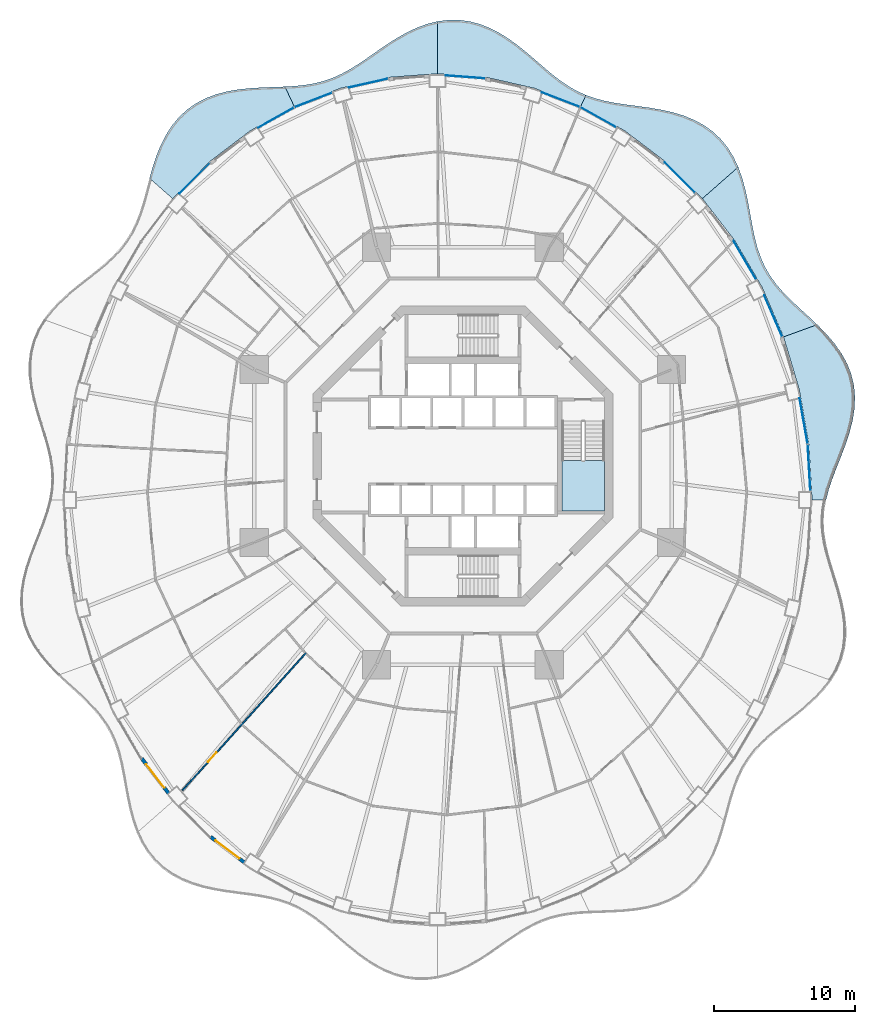
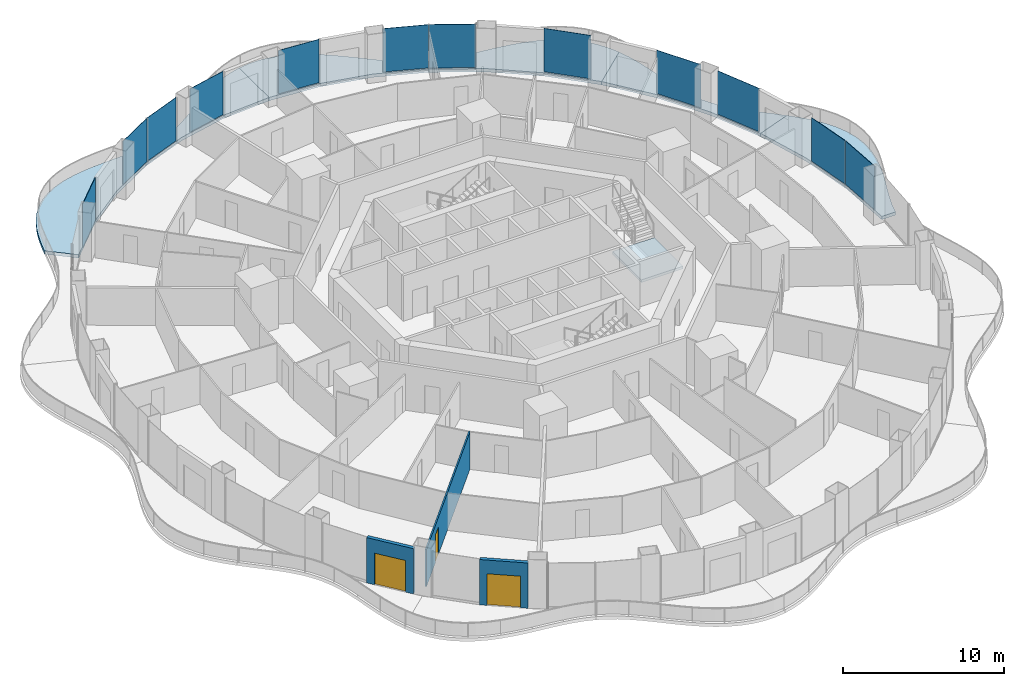
# One storey, part 12 of 21: 12 plates, 7 slabs, 3 doors, 3 walls, 3 openings, 13 elements without a shape of their own.
"""IFC4 building model written with IfcOpenShell, lengths in metres."""

from ifc_helpers import new_model, si_unit, direction, frame, frame_2d, origin, origin_2d, place, context, subcontext, project, spatial, polyline, rectangle, outline, extrude, material, layer, layer_set, type_object, element, fill, aggregate, save


model = new_model("IFC4")

# Units and contexts
model_context = context("Model", 3, precision=1e-05, world=origin(), true_north=direction((0.0, 1.0)))
body_context = subcontext(model_context, "Body", "Model", "MODEL_VIEW")
ifc_project = project(units=[si_unit("LENGTHUNIT", "METRE"), si_unit("AREAUNIT", "SQUARE_METRE"), si_unit("VOLUMEUNIT", "CUBIC_METRE"), si_unit("PLANEANGLEUNIT", "RADIAN"), si_unit("MASSUNIT", "GRAM", prefix="KILO")], contexts=[model_context])

# Site, building, storey
site_placement = place(None, origin())
site = spatial("IfcSite", under=ifc_project, at=site_placement, CompositionType="ELEMENT")
building_placement = place(site_placement, origin())
building = spatial("IfcBuilding", under=site, at=building_placement, Name="Nagisa Residences", CompositionType="ELEMENT")
storey_placement = place(building_placement, frame((0.0, 0.0, 138.10009765625)))
storey = spatial("IfcBuildingStorey", under=building, at=storey_placement, Name="L34", CompositionType="ELEMENT", Elevation=138.10009765625)

# Slabs
ifc_material_1 = material(Name="Concrete C40/50", Category="concrete")
ifc_layer_1 = layer(ifc_material_1, 0.25)
ifc_layer_set_1 = layer_set([ifc_layer_1], Name="BALCONY SLAB 250")
slab_type_1 = type_object("IfcSlabType", Name="BALCONY SLAB 250", PredefinedType="FLOOR", material=ifc_layer_set_1)
slab_1_placement = place(storey_placement, frame((0.0, 0.0, -0.25)))
element("IfcSlab", 1, at=slab_1_placement, inside=storey, type_object=slab_type_1, Name="slab:L34:bal00", PredefinedType="FLOOR", context=body_context, shape_type="SweptSolid", body=[
    extrude(outline(polyline([(25.7255859375, -3.11767578125), (25.925537109375, -2.355224609375), (26.18603515625, -1.580810546875), (26.4873046875, -0.791015625), (26.80615234375, 0.015380859375), (27.1162109375, 0.837646484375), (27.39111328125, 1.672607421875), (27.606201171875, 2.515380859375), (27.739501953125, 3.359130859375), (27.7734375, 4.19580078125), (27.697021484375, 5.01708984375), (27.5048828125, 5.815185546875), (27.19921875, 6.583740234375), (26.788818359375, 7.31787109375), (26.2880859375, 8.01513671875), (25.716552734375, 8.67626953125), (25.09765625, 9.3046875), (22.715087890625, 8.4375), (23.830810546875, 4.697265625), (24.508056640625, 0.823486328125), (24.735107421875, -3.11767578125), (25.7255859375, -3.11767578125)])), origin(), (0.0, 0.0, 1.0), 0.25),
])
slab_2_placement = place(storey_placement, frame((0.0, 0.0, -0.25)))
element("IfcSlab", 2, at=slab_2_placement, inside=storey, type_object=slab_type_1, Name="slab:L34:bal01", PredefinedType="FLOOR", context=body_context, shape_type="SweptSolid", body=[
    extrude(outline(polyline([(25.09765625, 9.3046875), (24.475830078125, 9.888671875), (23.855224609375, 10.455810546875), (23.257568359375, 11.01611328125), (22.70068359375, 11.580078125), (22.19921875, 12.158447265625), (21.762451171875, 12.76123046875), (21.394287109375, 13.396484375), (21.09326171875, 14.0703125), (20.85205078125, 14.78564453125), (20.65869140625, 15.541748046875), (20.49755859375, 16.33447265625), (20.349853515625, 17.155517578125), (20.19580078125, 17.993896484375), (20.01513671875, 18.835693359375), (19.78955078125, 19.665283203125), (19.503173828125, 20.465576171875), (16.963134765625, 18.2333984375), (19.251708984375, 15.263916015625), (21.179931640625, 11.979736328125), (22.715087890625, 8.4375), (25.09765625, 9.3046875)])), origin(), (0.0, 0.0, 1.0), 0.25),
])
slab_3_placement = place(storey_placement, frame((0.0, 0.0, -0.25)))
element("IfcSlab", 3, at=slab_3_placement, inside=storey, type_object=slab_type_1, Name="slab:L34:bal02", PredefinedType="FLOOR", context=body_context, shape_type="SweptSolid", body=[
    extrude(outline(polyline([(19.503173828125, 20.465576171875), (19.162353515625, 21.186767578125), (18.748046875, 21.85400390625), (18.257568359375, 22.456298828125), (17.6923828125, 22.986328125), (17.05712890625, 23.439208984375), (16.360595703125, 23.814697265625), (15.61376953125, 24.115966796875), (14.830322265625, 24.350830078125), (14.02392578125, 24.5302734375), (13.208984375, 24.668212890625), (12.398681640625, 24.781005859375), (11.604248046875, 24.88623046875), (10.8349609375, 25.001220703125), (10.0966796875, 25.142333984375), (9.392333984375, 25.323974609375), (8.721435546875, 25.557373046875), (8.3544921875, 24.77880859375), (11.467529296875, 23.031982421875), (14.353515625, 20.837646484375), (16.963134765625, 18.2333984375), (19.503173828125, 20.465576171875)])), origin(), (0.0, 0.0, 1.0), 0.25),
])
slab_4_placement = place(storey_placement, frame((0.0, 0.0, -0.25)))
element("IfcSlab", 4, at=slab_4_placement, inside=storey, type_object=slab_type_1, Name="slab:L34:bal03", PredefinedType="FLOOR", context=body_context, shape_type="SweptSolid", body=[
    extrude(outline(polyline([(8.721435546875, 25.557373046875), (8.103271484375, 25.837646484375), (7.507568359375, 26.174560546875), (6.927490234375, 26.566650390625), (6.354736328125, 27.0078125), (5.78125, 27.48779296875), (5.198486328125, 27.9931640625), (4.599609375, 28.5078125), (3.978515625, 29.013671875), (3.33154296875, 29.49169921875), (2.6572265625, 29.923583984375), (1.9560546875, 30.2919921875), (1.230712890625, 30.581787109375), (0.48583984375, 30.78173828125), (-0.272216796875, 30.8837890625), (-1.03662109375, 30.885009765625), (-1.800048828125, 30.786865234375), (-1.800048828125, 27.077392578125), (1.66357421875, 26.819091796875), (5.06787109375, 26.04833984375), (8.3544921875, 24.77880859375), (8.721435546875, 25.557373046875)])), origin(), (0.0, 0.0, 1.0), 0.25),
])
slab_5_placement = place(storey_placement, frame((0.0, 0.0, -0.25)))
element("IfcSlab", 5, at=slab_5_placement, inside=storey, type_object=slab_type_1, Name="slab:L34:bal04", PredefinedType="FLOOR", context=body_context, shape_type="SweptSolid", body=[
    extrude(outline(polyline([(-1.800048828125, 30.786865234375), (-2.55517578125, 30.594970703125), (-3.2958984375, 30.319580078125), (-4.017578125, 29.974365234375), (-4.71728515625, 29.576171875), (-5.393798828125, 29.143310546875), (-6.048583984375, 28.69482421875), (-6.684814453125, 28.24951171875), (-7.307861328125, 27.82470703125), (-7.924072265625, 27.43505859375), (-8.540771484375, 27.0927734375), (-9.165283203125, 26.804931640625), (-9.80517578125, 26.575439453125), (-10.4658203125, 26.4033203125), (-11.15185546875, 26.28369140625), (-11.865478515625, 26.20703125), (-12.606201171875, 26.16162109375), (-11.95458984375, 24.77880859375), (-8.667724609375, 26.04833984375), (-5.263427734375, 26.819091796875), (-1.800048828125, 27.077392578125), (-1.800048828125, 30.786865234375)])), origin(), (0.0, 0.0, 1.0), 0.25),
])
slab_6_placement = place(storey_placement, frame((0.0, 0.0, -0.25)))
element("IfcSlab", 6, at=slab_6_placement, inside=storey, type_object=slab_type_1, Name="slab:L34:bal05", PredefinedType="FLOOR", context=body_context, shape_type="SweptSolid", body=[
    extrude(outline(polyline([(-12.606201171875, 26.16162109375), (-13.400390625, 26.131591796875), (-14.21435546875, 26.1015625), (-15.039306640625, 26.052490234375), (-15.864013671875, 25.966552734375), (-16.67626953125, 25.82763671875), (-17.462646484375, 25.6220703125), (-18.21044921875, 25.340087890625), (-18.90771484375, 24.9755859375), (-19.544677734375, 24.52685546875), (-20.114990234375, 23.996826171875), (-20.61474609375, 23.3916015625), (-21.04443359375, 22.721923828125), (-21.408203125, 22.0), (-21.714111328125, 21.240478515625), (-21.973388671875, 20.45947265625), (-22.19970703125, 19.671630859375), (-20.56298828125, 18.2333984375), (-17.953369140625, 20.837646484375), (-15.0673828125, 23.031982421875), (-11.95458984375, 24.77880859375), (-12.606201171875, 26.16162109375)])), origin(), (0.0, 0.0, 1.0), 0.25),
])

# Curtain wall, plate
ifc_material_2 = material(Name="Concrete-coloured aluminium curtain wall system", Category="concrete")
ifc_layer_2 = layer(ifc_material_2, 0.159912109375)
ifc_layer_set_2 = layer_set([ifc_layer_2], Name="CW1 CURTAIN WALL")
curtain_wall_type = type_object("IfcCurtainWallType", Name="CW1 CURTAIN WALL", PredefinedType="NOTDEFINED", material=ifc_layer_set_2)
curtain_wall_1_placement = place(storey_placement, origin())
curtain_wall_1 = element("IfcCurtainWall", 7, at=curtain_wall_1_placement, inside=storey, type_object=curtain_wall_type, Name="cw:CW1:L34:00", PredefinedType="NOTDEFINED")
ifc_material_3 = material(Name="Clear laminated glass", Category="glass")
ifc_layer_3 = layer(ifc_material_3, 0.028076171875)
ifc_layer_set_3 = layer_set([ifc_layer_3], Name="CW1 GLASS PANEL")
plate_type = type_object("IfcPlateType", Name="CW1 GLASS PANEL", PredefinedType="CURTAIN_PANEL", material=ifc_layer_set_3)
plate_1_placement = place(storey_placement, frame((24.522705078125, -0.822265625, 0.14990234375), z_axis=(0.0, 0.0, 1.0), x_axis=(-0.057503492216, 0.998345305184, 0.0)))
plate_1 = element("IfcPlate", 8, at=plate_1_placement, type_object=plate_type, Name="CW1 panel", PredefinedType="CURTAIN_PANEL", context=body_context, shape_type="SweptSolid", body=[
    extrude(rectangle(XDim=3.287841796875, YDim=0.028076171875, at=origin_2d()), origin(), (0.0, 0.0, 1.0), 3.2900390625),
])
aggregate(curtain_wall_1, [plate_1])

curtain_wall_2_placement = place(storey_placement, origin())
curtain_wall_2 = element("IfcCurtainWall", 9, at=curtain_wall_2_placement, inside=storey, type_object=curtain_wall_type, Name="cw:CW1:L34:01", PredefinedType="NOTDEFINED")
plate_2_placement = place(storey_placement, frame((24.13720703125, 2.480712890625, 0.14990234375), z_axis=(0.0, 0.0, 1.0), x_axis=(-0.172190868898, 0.985063604377, 0.0)))
plate_2 = element("IfcPlate", 10, at=plate_2_placement, type_object=plate_type, Name="CW1 panel", PredefinedType="CURTAIN_PANEL", context=body_context, shape_type="SweptSolid", body=[
    extrude(rectangle(XDim=3.2724609375, YDim=0.028076171875, at=origin_2d()), origin(), (0.0, 0.0, 1.0), 3.2900390625),
])
aggregate(curtain_wall_2, [plate_2])

curtain_wall_3_placement = place(storey_placement, origin())
curtain_wall_3 = element("IfcCurtainWall", 11, at=curtain_wall_3_placement, inside=storey, type_object=curtain_wall_type, Name="cw:CW1:L34:03", PredefinedType="NOTDEFINED")
plate_3_placement = place(storey_placement, frame((21.9814453125, 9.928955078125, 0.14990234375), z_axis=(0.0, 0.0, 1.0), x_axis=(-0.397635934147, 0.917543276295, 0.0)))
plate_3 = element("IfcPlate", 12, at=plate_3_placement, type_object=plate_type, Name="CW1 panel", PredefinedType="CURTAIN_PANEL", context=body_context, shape_type="SweptSolid", body=[
    extrude(rectangle(XDim=3.20068359375, YDim=0.028076171875, at=origin_2d()), origin(), (0.0, 0.0, 1.0), 3.2900390625),
])
aggregate(curtain_wall_3, [plate_3])

curtain_wall_4_placement = place(storey_placement, origin())
curtain_wall_4 = element("IfcCurtainWall", 13, at=curtain_wall_4_placement, inside=storey, type_object=curtain_wall_type, Name="cw:CW1:L34:04", PredefinedType="NOTDEFINED")
plate_4_placement = place(storey_placement, frame((19.979736328125, 13.865966796875, 0.14990234375), z_axis=(0.0, 0.0, 1.0), x_axis=(-0.506348567002, 0.862328898214, 0.0)))
plate_4 = element("IfcPlate", 14, at=plate_4_placement, type_object=plate_type, Name="CW1 panel", PredefinedType="CURTAIN_PANEL", context=body_context, shape_type="SweptSolid", body=[
    extrude(rectangle(XDim=3.1484375, YDim=0.028076171875, at=origin_2d()), origin(), (0.0, 0.0, 1.0), 3.2900390625),
])
aggregate(curtain_wall_4, [plate_4])

curtain_wall_5_placement = place(storey_placement, origin())
curtain_wall_5 = element("IfcCurtainWall", 15, at=curtain_wall_5_placement, inside=storey, type_object=curtain_wall_type, Name="cw:CW1:L34:06", PredefinedType="NOTDEFINED")
plate_5_placement = place(storey_placement, frame((15.3681640625, 19.7119140625, 0.14990234375), z_axis=(0.0, 0.0, 1.0), x_axis=(-0.707835924016, 0.706376885714, 0.0)))
plate_5 = element("IfcPlate", 16, at=plate_5_placement, type_object=plate_type, Name="CW1 panel", PredefinedType="CURTAIN_PANEL", context=body_context, shape_type="SweptSolid", body=[
    extrude(rectangle(XDim=3.026611328125, YDim=0.028076171875, at=origin_2d()), origin(), (0.0, 0.0, 1.0), 3.2900390625),
])
aggregate(curtain_wall_5, [plate_5])

curtain_wall_6_placement = place(storey_placement, origin())
curtain_wall_6 = element("IfcCurtainWall", 17, at=curtain_wall_6_placement, inside=storey, type_object=curtain_wall_type, Name="cw:CW1:L34:08", PredefinedType="NOTDEFINED")
plate_6_placement = place(storey_placement, frame((9.583984375, 23.9970703125, 0.14990234375), z_axis=(0.0, 0.0, 1.0), x_axis=(-0.872072377523, 0.489376918501, 0.0)))
plate_6 = element("IfcPlate", 18, at=plate_6_placement, type_object=plate_type, Name="CW1 panel", PredefinedType="CURTAIN_PANEL", context=body_context, shape_type="SweptSolid", body=[
    extrude(rectangle(XDim=2.90966796875, YDim=0.028076171875, at=origin_2d()), origin(), (0.0, 0.0, 1.0), 3.2900390625),
])
aggregate(curtain_wall_6, [plate_6])

curtain_wall_7_placement = place(storey_placement, origin())
curtain_wall_7 = element("IfcCurtainWall", 19, at=curtain_wall_7_placement, inside=storey, type_object=curtain_wall_type, Name="cw:CW1:L34:09", PredefinedType="NOTDEFINED")
plate_7_placement = place(storey_placement, frame((6.93408203125, 25.24169921875, 0.14990234375), z_axis=(0.0, 0.0, 1.0), x_axis=(-0.932825759707, 0.360327770268, 0.0)))
plate_7 = element("IfcPlate", 20, at=plate_7_placement, type_object=plate_type, Name="CW1 panel", PredefinedType="CURTAIN_PANEL", context=body_context, shape_type="SweptSolid", body=[
    extrude(rectangle(XDim=2.863525390625, YDim=0.028076171875, at=origin_2d()), origin(), (0.0, 0.0, 1.0), 3.2900390625),
])
aggregate(curtain_wall_7, [plate_7])

curtain_wall_8_placement = place(storey_placement, origin())
curtain_wall_8 = element("IfcCurtainWall", 21, at=curtain_wall_8_placement, inside=storey, type_object=curtain_wall_type, Name="cw:CW1:L34:11", PredefinedType="NOTDEFINED")
plate_8_placement = place(storey_placement, frame((0.195068359375, 26.848388671875, 0.14990234375), z_axis=(0.0, 0.0, 1.0), x_axis=(-0.997230168512, 0.074377355493, 0.0)))
plate_8 = element("IfcPlate", 22, at=plate_8_placement, type_object=plate_type, Name="CW1 panel", PredefinedType="CURTAIN_PANEL", context=body_context, shape_type="SweptSolid", body=[
    extrude(rectangle(XDim=2.813232421875, YDim=0.028076171875, at=origin_2d()), origin(), (0.0, 0.0, 1.0), 3.2900390625),
])
aggregate(curtain_wall_8, [plate_8])

curtain_wall_9_placement = place(storey_placement, origin())
curtain_wall_9 = element("IfcCurtainWall", 23, at=curtain_wall_9_placement, inside=storey, type_object=curtain_wall_type, Name="cw:CW1:L34:13", PredefinedType="NOTDEFINED")
plate_9_placement = place(storey_placement, frame((-6.6845703125, 26.415283203125, 0.14990234375), z_axis=(0.0, 0.0, 1.0), x_axis=(-0.975327274089, -0.2207639201, 0.0)))
plate_9 = element("IfcPlate", 24, at=plate_9_placement, type_object=plate_type, Name="CW1 panel", PredefinedType="CURTAIN_PANEL", context=body_context, shape_type="SweptSolid", body=[
    extrude(rectangle(XDim=2.830322265625, YDim=0.028076171875, at=origin_2d()), origin(), (0.0, 0.0, 1.0), 3.2900390625),
])
aggregate(curtain_wall_9, [plate_9])

curtain_wall_10_placement = place(storey_placement, origin())
curtain_wall_10 = element("IfcCurtainWall", 25, at=curtain_wall_10_placement, inside=storey, type_object=curtain_wall_type, Name="cw:CW1:L34:14", PredefinedType="NOTDEFINED")
plate_10_placement = place(storey_placement, frame((-10.590087890625, 25.22021484375, 0.14990234375), z_axis=(0.0, 0.0, 1.0), x_axis=(-0.932825759707, -0.360327770268, 0.0)))
plate_10 = element("IfcPlate", 26, at=plate_10_placement, type_object=plate_type, Name="CW1 panel", PredefinedType="CURTAIN_PANEL", context=body_context, shape_type="SweptSolid", body=[
    extrude(rectangle(XDim=2.863525390625, YDim=0.028076171875, at=origin_2d()), origin(), (0.0, 0.0, 1.0), 3.2900390625),
])
aggregate(curtain_wall_10, [plate_10])

curtain_wall_11_placement = place(storey_placement, origin())
curtain_wall_11 = element("IfcCurtainWall", 27, at=curtain_wall_11_placement, inside=storey, type_object=curtain_wall_type, Name="cw:CW1:L34:15", PredefinedType="NOTDEFINED")
plate_11_placement = place(storey_placement, frame((-13.236328125, 23.9677734375, 0.14990234375), z_axis=(0.0, 0.0, 1.0), x_axis=(-0.872072377523, -0.489376918501, 0.0)))
plate_11 = element("IfcPlate", 28, at=plate_11_placement, type_object=plate_type, Name="CW1 panel", PredefinedType="CURTAIN_PANEL", context=body_context, shape_type="SweptSolid", body=[
    extrude(rectangle(XDim=2.90966796875, YDim=0.028076171875, at=origin_2d()), origin(), (0.0, 0.0, 1.0), 3.2900390625),
])
aggregate(curtain_wall_11, [plate_11])

curtain_wall_12_placement = place(storey_placement, origin())
curtain_wall_12 = element("IfcCurtainWall", 29, at=curtain_wall_12_placement, inside=storey, type_object=curtain_wall_type, Name="cw:CW1:L34:17", PredefinedType="NOTDEFINED")
plate_12_placement = place(storey_placement, frame((-19.0107421875, 19.669677734375, 0.14990234375), z_axis=(0.0, 0.0, 1.0), x_axis=(-0.707835924016, -0.706376885714, 0.0)))
plate_12 = element("IfcPlate", 30, at=plate_12_placement, type_object=plate_type, Name="CW1 panel", PredefinedType="CURTAIN_PANEL", context=body_context, shape_type="SweptSolid", body=[
    extrude(rectangle(XDim=3.026611328125, YDim=0.028076171875, at=origin_2d()), origin(), (0.0, 0.0, 1.0), 3.2900390625),
])
aggregate(curtain_wall_12, [plate_12])

# Stair, slab
ifc_material_4 = material(Name="Concrete C60", Category="concrete")
stair_type = type_object("IfcStairType", Name="Exit stair", PredefinedType="HALF_TURN_STAIR", material=ifc_material_4)
stair_placement = place(storey_placement, origin())
stair = element("IfcStair", 31, at=stair_placement, inside=storey, type_object=stair_type, Name="L34 Exit stair E", PredefinedType="HALF_TURN_STAIR")
ifc_material_5 = material(Name="Concrete C60", Category="concrete")
ifc_layer_4 = layer(ifc_material_5, 0.199951171875)
ifc_layer_set_4 = layer_set([ifc_layer_4], Name="Stair landing")
slab_type_2 = type_object("IfcSlabType", Name="Stair landing", PredefinedType="LANDING", material=ifc_layer_set_4)
slab_7_placement = place(storey_placement, frame((0.0, 0.0, 1.64990234375)))
slab_7 = element("IfcSlab", 32, at=slab_7_placement, type_object=slab_type_2, Name="ST-E landing 1", PredefinedType="LANDING", context=body_context, shape_type="SweptSolid", body=[
    extrude(outline(polyline([(7.024658203125, -0.324951171875), (7.024658203125, -3.89990234375), (10.024658203125, -3.89990234375), (10.024658203125, -0.324951171875), (7.024658203125, -0.324951171875)])), origin(), (0.0, 0.0, 1.0), 0.199951171875),
])
aggregate(stair, [slab_7])

# Wall, opening, door
ifc_material_6 = material(Name="Gypsum board on steel studs", Category="steel")
ifc_layer_5 = layer(ifc_material_6, 0.10009765625)
ifc_layer_set_5 = layer_set([ifc_layer_5], Name="Apartment partition 100")
wall_type_1 = type_object("IfcWallType", Name="Apartment partition 100", PredefinedType="PARTITIONING", material=ifc_layer_set_5)
wall_1_placement = place(storey_placement, frame((-11.10888671875, -13.95068359375, 0.0), z_axis=(0.0, 0.0, 1.0), x_axis=(-0.668488676691, -0.743722319913, 0.0)))
wall_1 = element("IfcWall", 33, at=wall_1_placement, inside=storey, type_object=wall_type_1, Name="wall:L34:u66", PredefinedType="PARTITIONING", context=body_context, shape_type="SweptSolid", body=[
    extrude(rectangle(XDim=13.093994140625, YDim=0.10009765625, at=frame_2d((6.546875, 0.0))), origin(), (0.0, 0.0, 1.0), 2.827880859375),
])
opening_1_placement = place(wall_1_placement, frame((9.500244140625, 0.0, 0.0)))
opening_1 = element("IfcOpeningElement", 34, at=opening_1_placement, cuts=wall_1, Name="Opening L34-U09", PredefinedType="OPENING", context=body_context, shape_type="SweptSolid", body=[
    extrude(rectangle(XDim=0.89990234375, YDim=2.10009765625, at=frame_2d((0.449951171875, 1.050048828125))), frame((0.0, 0.06005859375, 0.0), z_axis=(0.0, -1.0, 0.0), x_axis=(1.0, 0.0, 0.0)), (0.0, 0.0, 1.0), 0.1201171875),
])
ifc_material_7 = material(Name="Timber door set", Category="wood")
door_type_1 = type_object("IfcDoorType", Name="Apartment door 900x2100", OperationType="NOTDEFINED", PredefinedType="DOOR", material=ifc_material_7)
door_1_placement = place(opening_1_placement, origin())
door_1 = element("IfcDoor", 35, at=door_1_placement, inside=storey, type_object=door_type_1, Name="Door to master bedroom, Apartment 34A", OperationType="SINGLE_SWING_LEFT", OverallHeight=2.10009765625, OverallWidth=0.89990234375, PredefinedType="DOOR", context=body_context, shape_type="SweptSolid", body=[
    extrude(rectangle(XDim=0.89990234375, YDim=2.10009765625, at=frame_2d((0.449951171875, 1.050048828125))), frame((0.0, 0.02490234375, 0.0), z_axis=(0.0, -1.0, 0.0), x_axis=(1.0, 0.0, 0.0)), (0.0, 0.0, 1.0), 0.050048828125),
])
fill(opening_1, door_1)

ifc_material_8 = material(Name="Precast concrete C40/50", Category="concrete")
ifc_layer_6 = layer(ifc_material_8, 0.25)
ifc_layer_set_6 = layer_set([ifc_layer_6], Name="BALCONY DOOR WALL 250")
wall_type_2 = type_object("IfcWallType", Name="BALCONY DOOR WALL 250", PredefinedType="SOLIDWALL", material=ifc_layer_set_6)
wall_2_placement = place(storey_placement, frame((-20.830322265625, -23.917236328125, 0.0), z_axis=(0.0, 0.0, 1.0), x_axis=(-0.610429847179, 0.792070326217, 0.0)))
wall_2 = element("IfcWall", 36, at=wall_2_placement, inside=storey, type_object=wall_type_2, Name="wall:L34:bay29", PredefinedType="SOLIDWALL", context=body_context, shape_type="SweptSolid", body=[
    extrude(rectangle(XDim=3.149169921875, YDim=0.25, at=frame_2d((1.57470703125, 0.0))), origin(), (0.0, 0.0, 1.0), 3.43994140625),
])
opening_2_placement = place(wall_2_placement, frame((0.524658203125, 0.0, 0.0)))
opening_2 = element("IfcOpeningElement", 37, at=opening_2_placement, cuts=wall_2, Name="Opening BD-L34-10", PredefinedType="OPENING", context=body_context, shape_type="SweptSolid", body=[
    extrude(rectangle(XDim=2.10009765625, YDim=2.39990234375, at=frame_2d((1.050048828125, 1.199951171875))), frame((0.0, 0.135009765625, 0.0), z_axis=(0.0, -1.0, 0.0), x_axis=(1.0, 0.0, 0.0)), (0.0, 0.0, 1.0), 0.27001953125),
])
ifc_material_9 = material(Name="Aluminium and clear glass", Category="aluminium")
door_type_2 = type_object("IfcDoorType", Name="BALCONY SLIDING DOOR 2100x2400", OperationType="SLIDING_TO_LEFT", PredefinedType="DOOR", material=ifc_material_9)
door_2_placement = place(opening_2_placement, origin())
door_2 = element("IfcDoor", 38, at=door_2_placement, inside=storey, type_object=door_type_2, Name="door:L34:bay29", OperationType="SLIDING_TO_LEFT", OverallHeight=2.39990234375, OverallWidth=2.10009765625, PredefinedType="DOOR", context=body_context, shape_type="SweptSolid", body=[
    extrude(rectangle(XDim=2.10009765625, YDim=2.39990234375, at=frame_2d((1.050048828125, 1.199951171875))), frame((0.0, 0.02490234375, 0.0), z_axis=(0.0, -1.0, 0.0), x_axis=(1.0, 0.0, 0.0)), (0.0, 0.0, 1.0), 0.050048828125),
])
fill(opening_2, door_2)

wall_3_placement = place(storey_placement, frame((-15.469482421875, -28.8046875, 0.0), z_axis=(0.0, 0.0, 1.0), x_axis=(-0.796022231079, 0.605267385233, 0.0)))
wall_3 = element("IfcWall", 39, at=wall_3_placement, inside=storey, type_object=wall_type_2, Name="wall:L34:bay31", PredefinedType="SOLIDWALL", context=body_context, shape_type="SweptSolid", body=[
    extrude(rectangle(XDim=3.025634765625, YDim=0.25, at=frame_2d((1.5126953125, 0.0))), origin(), (0.0, 0.0, 1.0), 3.43994140625),
])
opening_3_placement = place(wall_3_placement, frame((0.462646484375, 0.0, 0.0)))
opening_3 = element("IfcOpeningElement", 40, at=opening_3_placement, cuts=wall_3, Name="Opening BD-L34-11", PredefinedType="OPENING", context=body_context, shape_type="SweptSolid", body=[
    extrude(rectangle(XDim=2.10009765625, YDim=2.39990234375, at=frame_2d((1.050048828125, 1.199951171875))), frame((0.0, 0.135009765625, 0.0), z_axis=(0.0, -1.0, 0.0), x_axis=(1.0, 0.0, 0.0)), (0.0, 0.0, 1.0), 0.27001953125),
])
door_3_placement = place(opening_3_placement, origin())
door_3 = element("IfcDoor", 41, at=door_3_placement, inside=storey, type_object=door_type_2, Name="door:L34:bay31", OperationType="SLIDING_TO_LEFT", OverallHeight=2.39990234375, OverallWidth=2.10009765625, PredefinedType="DOOR", context=body_context, shape_type="SweptSolid", body=[
    extrude(rectangle(XDim=2.10009765625, YDim=2.39990234375, at=frame_2d((1.050048828125, 1.199951171875))), frame((0.0, 0.02490234375, 0.0), z_axis=(0.0, -1.0, 0.0), x_axis=(1.0, 0.0, 0.0)), (0.0, 0.0, 1.0), 0.050048828125),
])
fill(opening_3, door_3)

save(model, "model.ifc")
